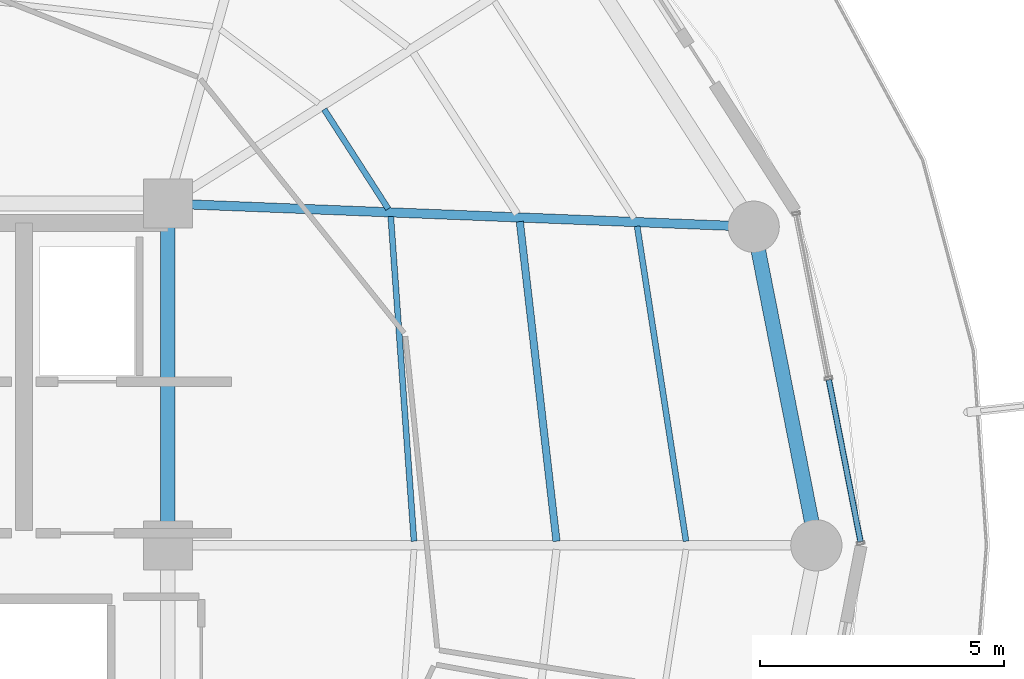
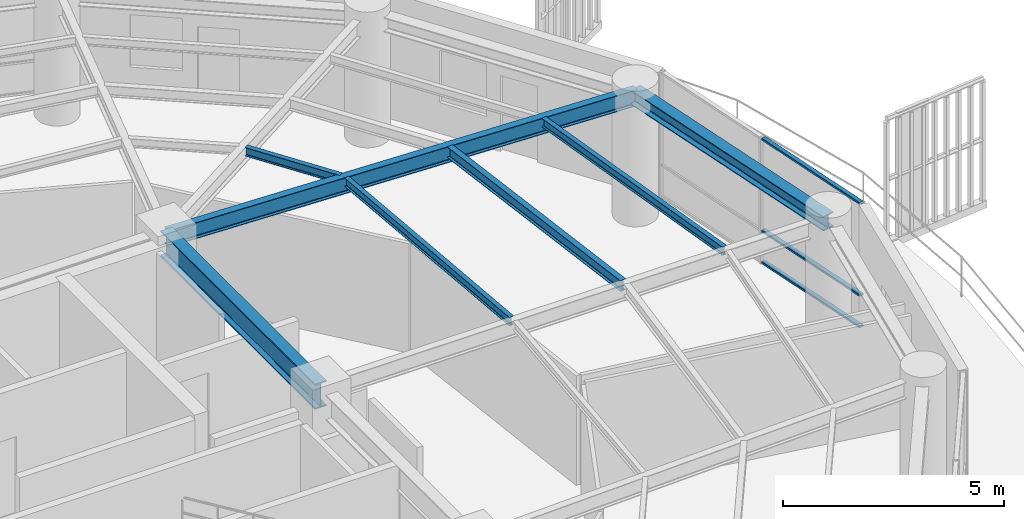
# One storey, part 15 of 31: 7 beams, 3 members, 1 element without a shape of its own.
"""IFC4 building model written with IfcOpenShell, lengths in metres."""

from ifc_helpers import new_model, si_unit, direction, frame, origin, origin_2d, place, context, subcontext, project, spatial, hollow_rectangle, i_section, extrude, material, layer, layer_set, material_profile, profile_set, type_object, element, aggregate, save


model = new_model("IFC4")

# Units and contexts
model_context = context("Model", 3, precision=1e-05, world=origin(), true_north=direction((0.0, 1.0)))
body_context = subcontext(model_context, "Body", "Model", "MODEL_VIEW")
ifc_project = project(units=[si_unit("LENGTHUNIT", "METRE"), si_unit("AREAUNIT", "SQUARE_METRE"), si_unit("VOLUMEUNIT", "CUBIC_METRE"), si_unit("PLANEANGLEUNIT", "RADIAN"), si_unit("MASSUNIT", "GRAM", prefix="KILO")], contexts=[model_context])

# Site, building, storey
site_placement = place(None, origin())
site = spatial("IfcSite", under=ifc_project, at=site_placement, CompositionType="ELEMENT")
building_placement = place(site_placement, origin())
building = spatial("IfcBuilding", under=site, at=building_placement, Name="Kelanora Arch Commons", CompositionType="ELEMENT")
storey_placement = place(building_placement, frame((0.0, 0.0, 219.449951171875)))
storey = spatial("IfcBuildingStorey", under=building, at=storey_placement, Name="L56", CompositionType="ELEMENT", Elevation=219.449951171875)

# Beams
ifc_material_1 = material(Name="Steel S355", Category="steel")
ifc_material_profile_1 = material_profile(ifc_material_1, i_section(OverallWidth=0.300048828125, OverallDepth=0.699951171875, WebThickness=0.01708984375, FlangeThickness=0.031982421875, FilletRadius=0.027099609375, at=origin_2d()), Name="HEB700")
ifc_profile_set_1 = profile_set([ifc_material_profile_1], Name="Steel S355")
beam_type_1 = type_object("IfcBeamType", Name="BM-CORE-HDR", PredefinedType="BEAM", material=ifc_profile_set_1)
beam_1_placement = place(storey_placement, frame((82.0, 58.0, 3.14013671875), z_axis=(0.0, 1.0, 0.0), x_axis=(-1.0, 0.0, 0.0)))
element("IfcBeam", 1, at=beam_1_placement, inside=storey, type_object=beam_type_1, Name="Core Header Beam 04 L56", PredefinedType="BEAM", context=body_context, shape_type="SweptSolid", body=[
    extrude(i_section(OverallWidth=0.300048828125, OverallDepth=0.699951171875, WebThickness=0.01708984375, FlangeThickness=0.031982421875, FilletRadius=0.027099609375, at=origin_2d()), origin(), (0.0, 0.0, 1.0), 7.0),
])
ifc_material_profile_2 = material_profile(ifc_material_1, i_section(OverallWidth=0.14990234375, OverallDepth=0.300048828125, WebThickness=0.007080078125, FlangeThickness=0.0107421875, FilletRadius=0.014892578125, at=origin_2d()), Name="IPE300")
ifc_profile_set_2 = profile_set([ifc_material_profile_2], Name="Steel S355")
beam_type_2 = type_object("IfcBeamType", Name="BM-JST-01", PredefinedType="JOIST", material=ifc_profile_set_2)
beam_2_placement = place(storey_placement, frame((89.958251953125, 58.08447265625, 3.340087890625), z_axis=(-0.113891408177, 0.993493204377, 0.0), x_axis=(-0.993493204377, -0.113891408177, 0.0)))
element("IfcBeam", 2, at=beam_2_placement, inside=storey, type_object=beam_type_2, Name="Secondary Chord Joist BJB-00 L56", PredefinedType="JOIST", context=body_context, shape_type="SweptSolid", body=[
    extrude(i_section(OverallWidth=0.14990234375, OverallDepth=0.300048828125, WebThickness=0.007080078125, FlangeThickness=0.0107421875, FilletRadius=0.014892578125, at=origin_2d()), origin(), (0.0, 0.0, 1.0), 6.589599609375),
])
ifc_material_profile_3 = material_profile(ifc_material_1, i_section(OverallWidth=0.1201171875, OverallDepth=0.239990234375, WebThickness=0.006103515625, FlangeThickness=0.009765625, FilletRadius=0.014892578125, at=origin_2d()), Name="IPE240")
ifc_profile_set_3 = profile_set([ifc_material_profile_3], Name="Steel S355")
beam_type_3 = type_object("IfcBeamType", Name="BM-JST-02", PredefinedType="JOIST", material=ifc_profile_set_3)
beam_3_placement = place(storey_placement, frame((87.040283203125, 58.084716796875, 3.3701171875), z_axis=(-0.07133032136, 0.997452748382, 0.0), x_axis=(-0.997452748382, -0.07133032136, 0.0)))
element("IfcBeam", 3, at=beam_3_placement, inside=storey, type_object=beam_type_3, Name="Secondary Chord Joist BJA-00 L56", PredefinedType="JOIST", context=body_context, shape_type="SweptSolid", body=[
    extrude(i_section(OverallWidth=0.1201171875, OverallDepth=0.239990234375, WebThickness=0.006103515625, FlangeThickness=0.009765625, FilletRadius=0.014892578125, at=origin_2d()), origin(), (0.0, 0.0, 1.0), 6.66748046875),
])
beam_4_placement = place(storey_placement, frame((92.611083984375, 58.083984375, 3.3701171875), z_axis=(-0.153256756152, 0.988186402808, 0.0), x_axis=(-0.988186402808, -0.153256756152, 0.0)))
element("IfcBeam", 4, at=beam_4_placement, inside=storey, type_object=beam_type_3, Name="Secondary Chord Joist BJC-00 L56", PredefinedType="JOIST", context=body_context, shape_type="SweptSolid", body=[
    extrude(i_section(OverallWidth=0.1201171875, OverallDepth=0.239990234375, WebThickness=0.006103515625, FlangeThickness=0.009765625, FilletRadius=0.014892578125, at=origin_2d()), origin(), (0.0, 0.0, 1.0), 6.52978515625),
])
beam_5_placement = place(storey_placement, frame((86.5126953125, 64.89111328125, 3.3701171875), z_axis=(-0.541332763503, 0.840808443796, 0.0), x_axis=(-0.840808443796, -0.541332763503, 0.0)))
element("IfcBeam", 5, at=beam_5_placement, inside=storey, type_object=beam_type_3, Name="Secondary Chord Joist BJA-02 L56", PredefinedType="JOIST", context=body_context, shape_type="SweptSolid", body=[
    extrude(i_section(OverallWidth=0.1201171875, OverallDepth=0.239990234375, WebThickness=0.006103515625, FlangeThickness=0.009765625, FilletRadius=0.014892578125, at=origin_2d()), origin(), (0.0, 0.0, 1.0), 2.423583984375),
])
ifc_material_profile_4 = material_profile(ifc_material_1, i_section(OverallWidth=0.18994140625, OverallDepth=0.449951171875, WebThickness=0.009521484375, FlangeThickness=0.0146484375, FilletRadius=0.02099609375, at=origin_2d()), Name="IPE450")
ifc_profile_set_4 = profile_set([ifc_material_profile_4], Name="Steel S355")
beam_type_4 = type_object("IfcBeamType", Name="BM-RAD-Z4", PredefinedType="BEAM", material=ifc_profile_set_4)
beam_6_placement = place(storey_placement, frame((82.0, 65.0, 3.26513671875), z_axis=(0.999219142585, -0.03951082246, 0.0), x_axis=(0.03951082246, 0.999219142585, 0.0)))
element("IfcBeam", 6, at=beam_6_placement, inside=storey, type_object=beam_type_4, Name="Radial Floor Girder BR-02 L56", PredefinedType="BEAM", context=body_context, shape_type="SweptSolid", body=[
    extrude(i_section(OverallWidth=0.18994140625, OverallDepth=0.449951171875, WebThickness=0.009521484375, FlangeThickness=0.0146484375, FilletRadius=0.02099609375, at=origin_2d()), origin(), (0.0, 0.0, 1.0), 12.005859375),
])
ifc_material_profile_5 = material_profile(ifc_material_1, i_section(OverallWidth=0.300048828125, OverallDepth=0.39990234375, WebThickness=0.013427734375, FlangeThickness=0.02392578125, FilletRadius=0.027099609375, at=origin_2d()), Name="HEB400")
ifc_profile_set_5 = profile_set([ifc_material_profile_5], Name="Steel S355")
beam_type_5 = type_object("IfcBeamType", Name="BM-SPN-Z4", PredefinedType="SPANDREL", material=ifc_profile_set_5)
beam_7_placement = place(storey_placement, frame((95.280029296875, 58.0, 3.2900390625), z_axis=(-0.192980724826, 0.981202547819, 0.0), x_axis=(-0.981202547819, -0.192980724826, 0.0)))
element("IfcBeam", 7, at=beam_7_placement, inside=storey, type_object=beam_type_5, Name="Perimeter Spandrel Beam BS-00 L56", PredefinedType="SPANDREL", context=body_context, shape_type="SweptSolid", body=[
    extrude(i_section(OverallWidth=0.300048828125, OverallDepth=0.39990234375, WebThickness=0.013427734375, FlangeThickness=0.02392578125, FilletRadius=0.027099609375, at=origin_2d()), origin(), (0.0, 0.0, 1.0), 6.650634765625),
])

# Curtain wall, members
ifc_material_2 = material(Name="Terracotta ceramic-fritted low-E glass and aluminium", Category="masonry")
ifc_layer = layer(ifc_material_2, 0.175048828125)
ifc_layer_set = layer_set([ifc_layer], Name="Terracotta ceramic-fritted low-E glass and aluminium")
curtain_wall_type = type_object("IfcCurtainWallType", Name="CW-SYS-02", PredefinedType="NOTDEFINED", material=ifc_layer_set)
curtain_wall_placement = place(storey_placement, origin())
curtain_wall = element("IfcCurtainWall", 8, at=curtain_wall_placement, inside=storey, type_object=curtain_wall_type, Name="Unitised Curtain Wall L56-B00", PredefinedType="NOTDEFINED")
ifc_material_3 = material(Name="Powder-coated aluminium terracotta", Category="masonry")
ifc_material_profile_6 = material_profile(ifc_material_3, hollow_rectangle(XDim=0.1201171875, YDim=0.06005859375, WallThickness=0.0048828125, InnerFilletRadius=0.0048828125, OuterFilletRadius=0.010009765625, at=origin_2d()), Name="CWT120x60")
ifc_profile_set_6 = profile_set([ifc_material_profile_6], Name="Powder-coated aluminium terracotta")
member_type = type_object("IfcMemberType", Name="CWT-STD", PredefinedType="USERDEFINED", material=ifc_profile_set_6)
member_1_placement = place(storey_placement, frame((96.185546875, 58.073486328125, 0.030029296875), z_axis=(-0.192044874899, 0.981386145218, 0.0), x_axis=(-0.981386145218, -0.192044874899, 0.0)))
member_1 = element("IfcMember", 9, at=member_1_placement, type_object=member_type, Name="CW-02 transom 1.1", ObjectType="TRANSOM", PredefinedType="USERDEFINED", context=body_context, shape_type="SweptSolid", body=[
    extrude(hollow_rectangle(XDim=0.1201171875, YDim=0.06005859375, WallThickness=0.0048828125, InnerFilletRadius=0.0048828125, OuterFilletRadius=0.010009765625, at=origin_2d()), origin(), (0.0, 0.0, 1.0), 3.38037109375),
])
member_2_placement = place(storey_placement, frame((96.185546875, 58.073486328125, 0.900146484375), z_axis=(-0.192044874899, 0.981386145218, 0.0), x_axis=(-0.981386145218, -0.192044874899, 0.0)))
member_2 = element("IfcMember", 10, at=member_2_placement, type_object=member_type, Name="CW-02 transom 1.2", ObjectType="TRANSOM", PredefinedType="USERDEFINED", context=body_context, shape_type="SweptSolid", body=[
    extrude(hollow_rectangle(XDim=0.1201171875, YDim=0.06005859375, WallThickness=0.0048828125, InnerFilletRadius=0.0048828125, OuterFilletRadius=0.010009765625, at=origin_2d()), origin(), (0.0, 0.0, 1.0), 3.38037109375),
])
member_3_placement = place(storey_placement, frame((96.185546875, 58.073486328125, 3.445068359375), z_axis=(-0.192044874899, 0.981386145218, 0.0), x_axis=(-0.981386145218, -0.192044874899, 0.0)))
member_3 = element("IfcMember", 11, at=member_3_placement, type_object=member_type, Name="CW-02 transom 1.3", ObjectType="TRANSOM", PredefinedType="USERDEFINED", context=body_context, shape_type="SweptSolid", body=[
    extrude(hollow_rectangle(XDim=0.1201171875, YDim=0.06005859375, WallThickness=0.0048828125, InnerFilletRadius=0.0048828125, OuterFilletRadius=0.010009765625, at=origin_2d()), origin(), (0.0, 0.0, 1.0), 3.38037109375),
])
aggregate(curtain_wall, [member_1, member_2, member_3])

save(model, "model.ifc")
